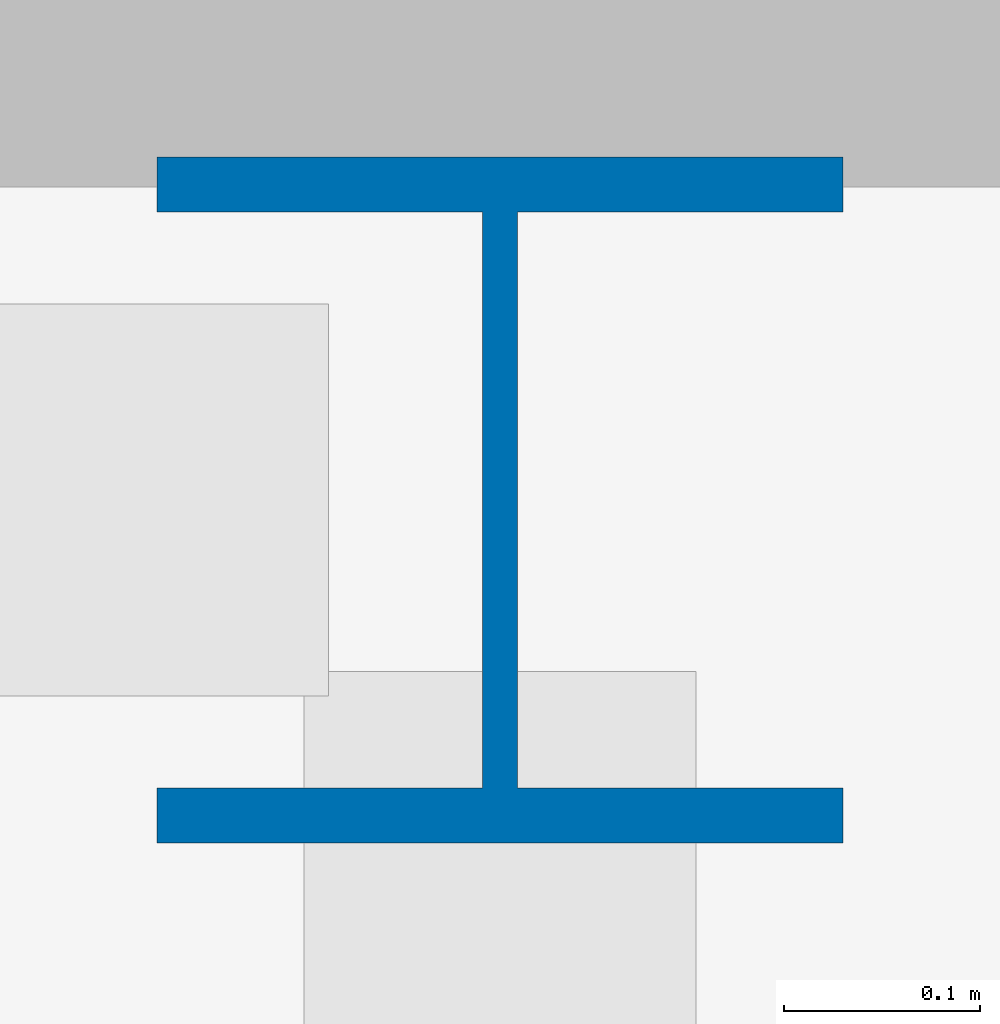
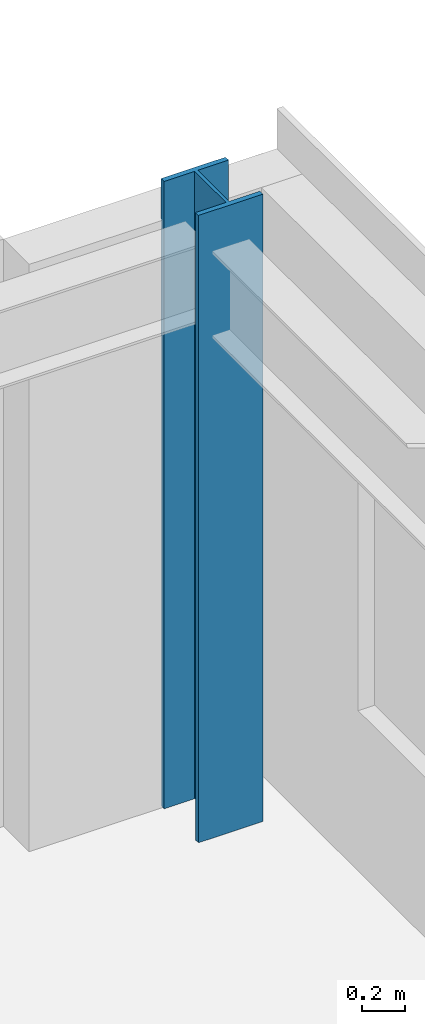
# One storey, part 4 of 22: 1 column.
"""IFC4 building model written with IfcOpenShell, lengths in metres."""

import ifcopenshell
import ifcopenshell.guid

model = None  # the IFC model being written
_history = None  # IfcOwnerHistory: only IFC2X3 demands one
_inside = {}  # id of a spatial element -> (the spatial element, [elements in it])
_under = {}  # id of a project, library or spatial element -> (it, [spatial elements below it])
_declared = {}  # id of a project -> (the project, [libraries it declares])
_typed = {}  # id of a type object -> (the type object, [elements of that type])
_made_of = {}  # id of a material, layer set ... -> (it, [elements and type objects made of it])


def new_model(schema):
    """Start an empty IFC model of exactly this schema.

    Asked for "IFC4X3", IfcOpenShell would pick the latest addendum, in which some entities
    have other attributes; the version numbers below select the first issue.
    IFC2X3 requires an IfcOwnerHistory on every rooted entity: one is made here for all.
    """
    global model, _history
    if schema == "IFC4X3":
        model = ifcopenshell.file(schema_version=(4, 3, 0, 0))
    else:
        model = ifcopenshell.file(schema=schema)
    _inside.clear()
    _under.clear()
    _declared.clear()
    _typed.clear()
    _made_of.clear()
    _history = None
    if model.schema == "IFC2X3":
        org = make("IfcOrganization", Name="unknown")
        user = make(
            "IfcPersonAndOrganization",
            ThePerson=make("IfcPerson", FamilyName="unknown"),
            TheOrganization=org,
        )
        app = make(
            "IfcApplication",
            ApplicationDeveloper=org,
            Version="unknown",
            ApplicationFullName="unknown",
            ApplicationIdentifier="unknown",
        )
        _history = make(
            "IfcOwnerHistory",
            OwningUser=user,
            OwningApplication=app,
            ChangeAction="ADDED",
            CreationDate=0,
        )
    return model


def make(cls, **values):
    """One entity of the class cls with the attributes given. An attribute that is None is left unset."""
    return model.create_entity(
        cls, **{name: value for name, value in values.items() if value is not None}
    )


def rooted(cls, **values):
    """An entity with a GlobalId (a new one), such as an element, a storey or a relation."""
    return make(cls, GlobalId=ifcopenshell.guid.new(), OwnerHistory=_history, **values)


def si_unit(unit_type, name, prefix=None):
    """IfcSIUnit, for example si_unit("LENGTHUNIT", "METRE", prefix="MILLI")."""
    return make("IfcSIUnit", UnitType=unit_type, Prefix=prefix, Name=name)


def assignment(units):
    """IfcUnitAssignment: the units of a project."""
    return None if units is None else make("IfcUnitAssignment", Units=units)


def point(xyz):
    """IfcCartesianPoint."""
    return None if xyz is None else make("IfcCartesianPoint", Coordinates=xyz)


def direction(xyz):
    """IfcDirection."""
    return None if xyz is None else make("IfcDirection", DirectionRatios=xyz)


def frame(location, z_axis=None, x_axis=None):
    """IfcAxis2Placement3D, a coordinate frame: its origin and axes. An axis left out is left unset."""
    return make(
        "IfcAxis2Placement3D",
        Location=point(location),
        Axis=direction(z_axis),
        RefDirection=direction(x_axis),
    )


def frame_2d(location, x_axis=None):
    """IfcAxis2Placement2D, a coordinate frame in the plane: its origin and x axis."""
    return make(
        "IfcAxis2Placement2D", Location=point(location), RefDirection=direction(x_axis)
    )


def origin():
    """The frame at (0, 0, 0) with its axes left unset."""
    return frame((0.0, 0.0, 0.0))


def origin_2d():
    """The frame at (0, 0) in the plane with its x axis left unset."""
    return frame_2d((0.0, 0.0))


def place(relative_to, where):
    """IfcLocalPlacement: puts the frame where relative to a parent placement (None: the world)."""
    return make(
        "IfcLocalPlacement", PlacementRelTo=relative_to, RelativePlacement=where
    )


def context(
    kind, dimensions, precision=None, world=None, true_north=None, identifier=None
):
    """IfcGeometricRepresentationContext, for example the 3D "Model" context."""
    return make(
        "IfcGeometricRepresentationContext",
        ContextIdentifier=identifier,
        ContextType=kind,
        CoordinateSpaceDimension=dimensions,
        Precision=precision,
        WorldCoordinateSystem=world,
        TrueNorth=true_north,
    )


def subcontext(parent, identifier, kind, view, scale=None):
    """IfcGeometricRepresentationSubContext, for example "Body" below "Model"."""
    return make(
        "IfcGeometricRepresentationSubContext",
        ContextIdentifier=identifier,
        ContextType=kind,
        ParentContext=parent,
        TargetScale=scale,
        TargetView=view,
    )


def project(units=None, contexts=None):
    """IfcProject with its units and contexts."""
    return rooted(
        "IfcProject",
        Name="project",
        RepresentationContexts=contexts,
        UnitsInContext=assignment(units),
    )


def spatial(cls, under=None, at=None, **own):
    """A site, building, storey or space (cls), placed at a placement, below another one or the project."""
    s = rooted(cls, ObjectPlacement=at, **own)
    if under is not None:
        _under.setdefault(under.id(), (under, []))[1].append(s)
    return s


def profile(cls, at=None, kind="AREA", **sizes):
    """A parametric profile (cls). Its sizes go by their IFC names, for example OverallWidth=200.0."""
    return make(cls, ProfileType=kind, Position=at, **sizes)


def i_section(**sizes):
    """IfcIShapeProfileDef."""
    return profile("IfcIShapeProfileDef", **sizes)


def extrude(swept, where, along, depth):
    """IfcExtrudedAreaSolid: the profile swept, set in the frame where, extruded along a direction by depth."""
    return make(
        "IfcExtrudedAreaSolid",
        SweptArea=swept,
        Position=where,
        ExtrudedDirection=direction(along),
        Depth=depth,
    )


def shape(context_of_items, identifier, shape_type, items):
    """IfcShapeRepresentation: the items that make up one representation, for example the "Body"."""
    return make(
        "IfcShapeRepresentation",
        ContextOfItems=context_of_items,
        RepresentationIdentifier=identifier,
        RepresentationType=shape_type,
        Items=items,
    )


def source(mapping_origin, context_of_items, identifier, shape_type, items):
    """IfcRepresentationMap: a shape defined once, which mapped items show again and again."""
    return make(
        "IfcRepresentationMap",
        MappingOrigin=mapping_origin,
        MappedRepresentation=shape(context_of_items, identifier, shape_type, items),
    )


def transform(
    local_origin,
    x_axis=None,
    y_axis=None,
    z_axis=None,
    scale=None,
    scale2=None,
    scale3=None,
    uniform=True,
):
    """IfcCartesianTransformationOperator3D, or its non-uniform kind. x_axis, y_axis, z_axis: its Axis1, 2, 3."""
    if uniform:
        return make(
            "IfcCartesianTransformationOperator3D",
            Axis1=direction(x_axis),
            Axis2=direction(y_axis),
            LocalOrigin=point(local_origin),
            Scale=scale,
            Axis3=direction(z_axis),
        )
    return make(
        "IfcCartesianTransformationOperator3DnonUniform",
        Axis1=direction(x_axis),
        Axis2=direction(y_axis),
        LocalOrigin=point(local_origin),
        Scale=scale,
        Axis3=direction(z_axis),
        Scale2=scale2,
        Scale3=scale3,
    )


def mapped(mapping_source, mapping_target):
    """IfcMappedItem: shows the shape of a source again, moved by a transform."""
    return make(
        "IfcMappedItem", MappingSource=mapping_source, MappingTarget=mapping_target
    )


def material(Name=None, Category=None):
    """IfcMaterial."""
    return make("IfcMaterial", Name=Name, Category=Category)


def material_profile(
    of_material, cross_section, Name=None, Category=None, Priority=None
):
    """IfcMaterialProfile: a cross section and its material."""
    return make(
        "IfcMaterialProfile",
        Name=Name,
        Material=of_material,
        Profile=cross_section,
        Priority=Priority,
        Category=Category,
    )


def profile_set(profiles, Name=None, composite=None):
    """IfcMaterialProfileSet."""
    return make(
        "IfcMaterialProfileSet",
        Name=Name,
        MaterialProfiles=profiles,
        CompositeProfile=composite,
    )


def made_of(thing, what):
    """Note that an element or type object is made of a material, layer set ...; save() writes the relation."""
    if what is not None:
        _made_of.setdefault(what.id(), (what, []))[1].append(thing)
    return thing


def type_object(cls, material=None, **own):
    """A type object (cls), such as IfcWallType, which elements share."""
    return made_of(rooted(cls, **own), material)


def element(
    cls,
    number,
    at=None,
    inside=None,
    cuts=None,
    type_object=None,
    material=None,
    context=None,
    identifier="Body",
    shape_type=None,
    held_by="IfcProductDefinitionShape",
    body=None,
    shapes=None,
    **own,
):
    """One element of the class cls, such as IfcWall. Its Tag is "e" and its number.

    at: its placement. inside: the storey or other place that contains it. cuts: it is an
    opening in that element (IfcRelVoidsElement). A single representation is given by context,
    identifier, shape_type and body (its items); several are given by shapes. held_by: the class
    of the entity that holds the representations. save() writes the other relations.
    """
    e = rooted(cls, Tag="e%d" % number, ObjectPlacement=at, **own)
    if body is not None:
        shapes = [shape(context, identifier, shape_type, body)]
    if shapes is not None:
        e.Representation = make(held_by, Representations=shapes)
    if inside is not None:
        _inside.setdefault(inside.id(), (inside, []))[1].append(e)
    if cuts is not None:
        rooted(
            "IfcRelVoidsElement", RelatingBuildingElement=cuts, RelatedOpeningElement=e
        )
    if type_object is not None:
        _typed.setdefault(type_object.id(), (type_object, []))[1].append(e)
    return made_of(e, material)


def aggregate(whole, parts):
    """IfcRelAggregates: a whole, such as a stair, and the parts it consists of."""
    return rooted("IfcRelAggregates", RelatingObject=whole, RelatedObjects=parts)


def save(model, path):
    """Write the relations noted so far, then the file.

    IfcRelAggregates (storeys below a building ...), IfcRelContainedInSpatialStructure (elements
    in a storey), IfcRelDefinesByType, IfcRelAssociatesMaterial and IfcRelDeclares: one each for
    every whole, place, type object, material and project.
    """
    for whole, parts in _under.values():
        aggregate(whole, parts)
    for where, things in _inside.values():
        rooted(
            "IfcRelContainedInSpatialStructure",
            RelatedElements=things,
            RelatingStructure=where,
        )
    for kind, things in _typed.values():
        rooted("IfcRelDefinesByType", RelatedObjects=things, RelatingType=kind)
    for what, things in _made_of.values():
        rooted("IfcRelAssociatesMaterial", RelatedObjects=things, RelatingMaterial=what)
    for by, libraries in _declared.values():
        rooted("IfcRelDeclares", RelatingContext=by, RelatedDefinitions=libraries)
    model.write(path)


model = new_model("IFC4")

# Units and contexts
model_context = context("Model", 3, precision=1e-05, world=origin(), true_north=direction((0.0, 1.0)))
body_context = subcontext(model_context, "Body", "Model", "MODEL_VIEW")
ifc_project = project(units=[si_unit("LENGTHUNIT", "METRE"), si_unit("AREAUNIT", "SQUARE_METRE"), si_unit("VOLUMEUNIT", "CUBIC_METRE"), si_unit("PLANEANGLEUNIT", "RADIAN"), si_unit("MASSUNIT", "GRAM", prefix="KILO")], contexts=[model_context])

# Site, building, storey
site_placement = place(None, origin())
site = spatial("IfcSite", under=ifc_project, at=site_placement, CompositionType="ELEMENT")
building_placement = place(site_placement, origin())
building = spatial("IfcBuilding", under=site, at=building_placement, Name="Trelvane Seafront Commons", CompositionType="ELEMENT")
storey_placement = place(building_placement, frame((0.0, 0.0, 288.300048828125)))
storey = spatial("IfcBuildingStorey", under=building, at=storey_placement, Name="L75", CompositionType="ELEMENT", Elevation=288.300048828125)

# Column
ifc_material = material(Name="Steel SM355 (S355)", Category="steel")
ifc_material_profile = material_profile(ifc_material, i_section(OverallWidth=0.35009765625, OverallDepth=0.35009765625, WebThickness=0.01806640625, FlangeThickness=0.028076171875, at=origin_2d()), Name="HD-350x350x18x28")
ifc_profile_set = profile_set([ifc_material_profile], Name="Steel SM355 (S355)")
column_type = type_object("IfcColumnType", Name="STR-COL-HD350", PredefinedType="COLUMN", material=ifc_profile_set)
shared_shape = source(origin(), body_context, "Body", "SweptSolid", [
    extrude(i_section(OverallWidth=0.35009765625, OverallDepth=0.35009765625, WebThickness=0.01806640625, FlangeThickness=0.028076171875, at=origin_2d()), origin(), (0.0, 0.0, 1.0), 3.599853515625),
])
column_placement = place(storey_placement, frame((65.60009765625, 45.10009765625, 0.0), z_axis=(0.0, 0.0, 1.0), x_axis=(1.0, 0.0, 0.0)))
element("IfcColumn", 1, at=column_placement, inside=storey, type_object=column_type, Name="L75 Column TC-CN65.6", PredefinedType="COLUMN", context=body_context, shape_type="MappedRepresentation", body=[
    mapped(shared_shape, transform((0.0, 0.0, 0.0), x_axis=(1.0, 0.0, 0.0), y_axis=(0.0, 1.0, 0.0), z_axis=(0.0, 0.0, 1.0), scale=1.0)),
])

save(model, "model.ifc")
